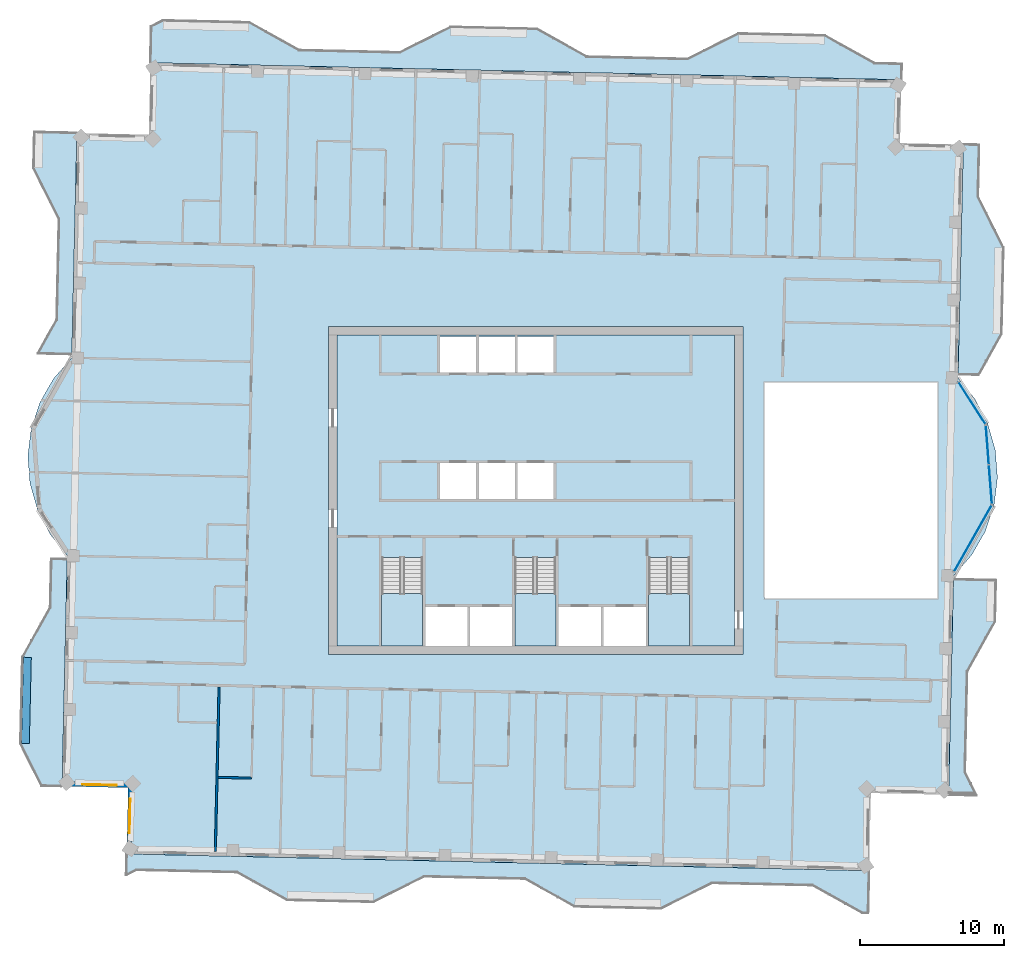
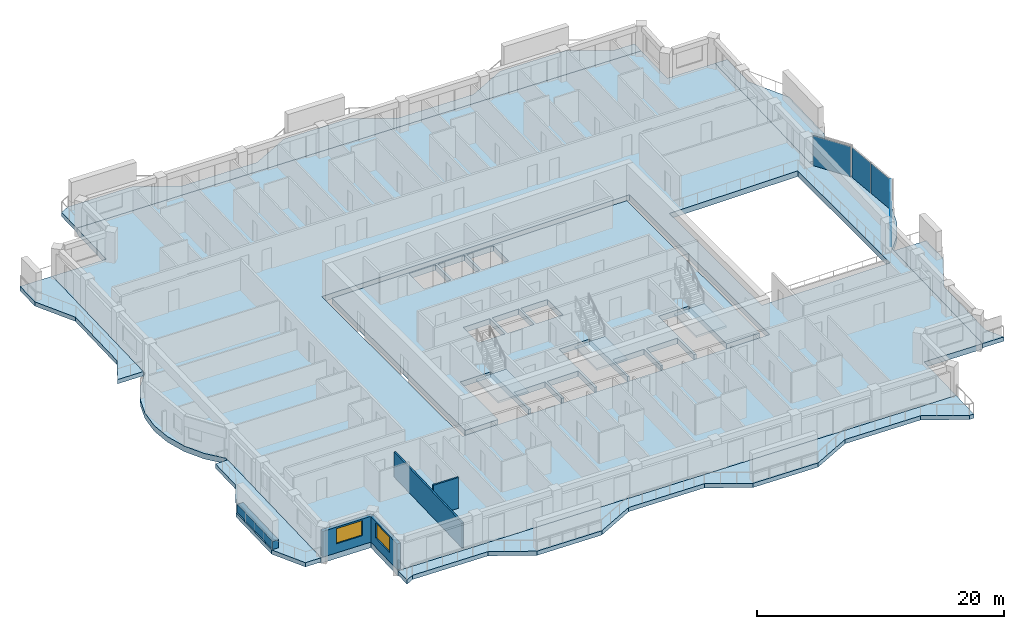
# One storey, part 3 of 15: 11 slabs, 5 walls, 4 plates, 2 windows, 2 openings, 6 elements without a shape of their own.
"""IFC4 building model written with IfcOpenShell, lengths in metres."""

from ifc_helpers import new_model, si_unit, direction, frame, frame_2d, origin, origin_2d, place, context, subcontext, project, spatial, polyline, rectangle, outline, extrude, material, layer, layer_set, type_object, element, fill, aggregate, save


model = new_model("IFC4")

# Units and contexts
model_context = context("Model", 3, precision=1e-05, world=origin(), true_north=direction((0.0, 1.0)))
body_context = subcontext(model_context, "Body", "Model", "MODEL_VIEW")
ifc_project = project(units=[si_unit("LENGTHUNIT", "METRE"), si_unit("AREAUNIT", "SQUARE_METRE"), si_unit("VOLUMEUNIT", "CUBIC_METRE"), si_unit("PLANEANGLEUNIT", "RADIAN"), si_unit("MASSUNIT", "GRAM", prefix="KILO")], contexts=[model_context])

# Site, building, storey
site_placement = place(None, origin())
site = spatial("IfcSite", under=ifc_project, at=site_placement, CompositionType="ELEMENT")
building_placement = place(site_placement, origin())
building = spatial("IfcBuilding", under=site, at=building_placement, Name="Mangrove Gate Tower", CompositionType="ELEMENT")
storey_placement = place(building_placement, frame((0.0, 0.0, 320.5)))
storey = spatial("IfcBuildingStorey", under=building, at=storey_placement, Name="L82", CompositionType="ELEMENT", Elevation=320.5)

# Curtain wall, plate
ifc_material_1 = material(Name="Aluminium and glass curtain wall", Category="aluminium")
curtain_wall_type = type_object("IfcCurtainWallType", Name="Atrium garden-court glazing wall", PredefinedType="NOTDEFINED", material=ifc_material_1)
curtain_wall_1_placement = place(storey_placement, origin())
curtain_wall_1 = element("IfcCurtainWall", 1, at=curtain_wall_1_placement, inside=storey, type_object=curtain_wall_type, Name="Atrium garden-court glazing E1f1", PredefinedType="NOTDEFINED")
ifc_material_2 = material(Name="Laminated low-e glass", Category="glass")
ifc_layer_1 = layer(ifc_material_2, 0.031982421875)
ifc_layer_set_1 = layer_set([ifc_layer_1], Name="Atrium garden-court glazing panel 32")
plate_type = type_object("IfcPlateType", Name="Atrium garden-court glazing panel 32", PredefinedType="CURTAIN_PANEL", material=ifc_layer_set_1)
plate_1_placement = place(storey_placement, frame((30.381103515625, -3.32861328125, 0.0), z_axis=(0.0, 0.0, 1.0), x_axis=(0.4925871539, 0.870263118725, 0.0)))
plate_1 = element("IfcPlate", 2, at=plate_1_placement, type_object=plate_type, Name="CWA panel 1.1", PredefinedType="CURTAIN_PANEL", context=body_context, shape_type="SweptSolid", body=[
    extrude(rectangle(XDim=5.258056640625, YDim=0.031982421875, at=origin_2d()), origin(), (0.0, 0.0, 1.0), 2.97998046875),
])
aggregate(curtain_wall_1, [plate_1])

# Curtain wall, plates
curtain_wall_2_placement = place(storey_placement, origin())
curtain_wall_2 = element("IfcCurtainWall", 3, at=curtain_wall_2_placement, inside=storey, type_object=curtain_wall_type, Name="Atrium garden-court glazing E1f2", PredefinedType="NOTDEFINED")
plate_2_placement = place(storey_placement, frame((31.601806640625, 0.427001953125, 0.0), z_axis=(0.0, 0.0, 1.0), x_axis=(-0.077023348212, 0.997029289354, 0.0)))
plate_2 = element("IfcPlate", 4, at=plate_2_placement, type_object=plate_type, Name="CWA panel 1.1", PredefinedType="CURTAIN_PANEL", context=body_context, shape_type="SweptSolid", body=[
    extrude(rectangle(XDim=2.681640625, YDim=0.031982421875, at=origin_2d()), origin(), (0.0, 0.0, 1.0), 2.97998046875),
])
plate_3_placement = place(storey_placement, frame((31.389892578125, 3.17041015625, 0.0), z_axis=(0.0, 0.0, 1.0), x_axis=(-0.077023348212, 0.997029289354, 0.0)))
plate_3 = element("IfcPlate", 5, at=plate_3_placement, type_object=plate_type, Name="CWA panel 2.1", PredefinedType="CURTAIN_PANEL", context=body_context, shape_type="SweptSolid", body=[
    extrude(rectangle(XDim=2.681640625, YDim=0.031982421875, at=origin_2d()), origin(), (0.0, 0.0, 1.0), 2.97998046875),
])
aggregate(curtain_wall_2, [plate_2, plate_3])

# Curtain wall, plate
curtain_wall_3_placement = place(storey_placement, origin())
curtain_wall_3 = element("IfcCurtainWall", 6, at=curtain_wall_3_placement, inside=storey, type_object=curtain_wall_type, Name="Atrium garden-court glazing E1f3", PredefinedType="NOTDEFINED")
plate_4_placement = place(storey_placement, frame((30.31689453125, 6.078369140625, 0.0), z_axis=(0.0, 0.0, 1.0), x_axis=(-0.540512472211, 0.841336001479, 0.0)))
plate_4 = element("IfcPlate", 7, at=plate_4_placement, type_object=plate_type, Name="CWA panel 1.1", PredefinedType="CURTAIN_PANEL", context=body_context, shape_type="SweptSolid", body=[
    extrude(rectangle(XDim=3.4287109375, YDim=0.031982421875, at=origin_2d()), origin(), (0.0, 0.0, 1.0), 2.97998046875),
])
aggregate(curtain_wall_3, [plate_4])

# Slabs
ifc_material_3 = material(Name="Porcelain tile")
ifc_layer_2 = layer(ifc_material_3, 0.02001953125, Name="Tile finish")
ifc_material_4 = material(Name="Cement sand screed")
ifc_layer_3 = layer(ifc_material_4, 0.0400390625, Name="Screed laid to falls")
ifc_material_5 = material(Name="Bituminous waterproofing membrane")
ifc_layer_4 = layer(ifc_material_5, 0.00390625, Name="Waterproofing")
ifc_material_6 = material(Name="Concrete C40/50", Category="concrete")
ifc_layer_5 = layer(ifc_material_6, 0.340087890625, Name="Balcony structural slab")
ifc_material_7 = material(Name="Limestone", Category="masonry")
ifc_layer_6 = layer(ifc_material_7, 0.01611328125, Name="Soffit lining")
ifc_layer_set_2 = layer_set([ifc_layer_2, ifc_layer_3, ifc_layer_4, ifc_layer_5, ifc_layer_6], Name="Balcony slab 420 C40/50")
slab_type_1 = type_object("IfcSlabType", Name="Balcony slab 420 C40/50", PredefinedType="FLOOR", material=ifc_layer_set_2)
slab_1_placement = place(storey_placement, frame((0.0, 0.0, -0.419921875)))
element("IfcSlab", 8, at=slab_1_placement, inside=storey, type_object=slab_type_1, Name="BALCONY L82 E0", PredefinedType="FLOOR", context=body_context, shape_type="SweptSolid", body=[
    extrude(outline(polyline([(30.676025390625, -21.18798828125), (29.866943359375, -19.569091796875), (30.02490234375, -12.571044921875), (31.9541015625, -9.114013671875), (32.02001953125, -6.239990234375), (29.030029296875, -6.172119140625), (28.965087890625, -9.0458984375), (28.885986328125, -12.544921875), (28.72705078125, -19.54296875), (28.69091796875, -21.14306640625), (30.676025390625, -21.18798828125)])), origin(), (0.0, 0.0, 1.0), 0.419921875),
])
slab_2_placement = place(storey_placement, frame((0.0, 0.0, -0.419921875)))
element("IfcSlab", 9, at=slab_2_placement, inside=storey, type_object=slab_type_1, Name="BALCONY L82 E1", PredefinedType="FLOOR", context=body_context, shape_type="SweptSolid", body=[
    extrude(outline(polyline([(30.823974609375, 8.041015625), (32.407958984375, 10.881103515625), (32.5439453125, 16.87890625), (30.77392578125, 20.419921875), (30.85595703125, 24.01904296875), (29.716064453125, 24.044921875), (29.634033203125, 20.446044921875), (29.554931640625, 16.947021484375), (29.4189453125, 10.948974609375), (29.35400390625, 8.074951171875), (30.823974609375, 8.041015625)])), origin(), (0.0, 0.0, 1.0), 0.419921875),
])
slab_3_placement = place(storey_placement, frame((0.0, 0.0, -0.419921875)))
element("IfcSlab", 10, at=slab_3_placement, inside=storey, type_object=slab_type_1, Name="BALCONY L82 N0", PredefinedType="FLOOR", context=body_context, shape_type="SweptSolid", body=[
    extrude(outline(polyline([(25.443115234375, 29.68408203125), (23.54296875, 29.72705078125), (20.0859375, 31.656005859375), (14.087890625, 31.7919921875), (10.547119140625, 30.02197265625), (3.549072265625, 30.180908203125), (0.091064453125, 32.10888671875), (-5.906982421875, 32.24609375), (-9.447998046875, 30.47607421875), (-16.446044921875, 30.634033203125), (-19.903076171875, 32.56298828125), (-25.902099609375, 32.698974609375), (-26.7109375, 32.294921875), (-26.76904296875, 29.72802734375), (25.4169921875, 28.5439453125), (25.443115234375, 29.68408203125)])), origin(), (0.0, 0.0, 1.0), 0.419921875),
])
slab_4_placement = place(storey_placement, frame((0.0, 0.0, -0.419921875)))
element("IfcSlab", 11, at=slab_4_placement, inside=storey, type_object=slab_type_1, Name="BALCONY L82 W0", PredefinedType="FLOOR", context=body_context, shape_type="SweptSolid", body=[
    extrude(outline(polyline([(-34.87109375, 24.910888671875), (-34.927978515625, 22.410888671875), (-33.156982421875, 18.8701171875), (-33.31591796875, 11.8720703125), (-34.625, 9.527099609375), (-32.22998046875, 9.471923828125), (-32.177001953125, 11.845947265625), (-32.01806640625, 18.844970703125), (-31.93798828125, 22.343994140625), (-31.882080078125, 24.843017578125), (-34.87109375, 24.910888671875)])), origin(), (0.0, 0.0, 1.0), 0.419921875),
])
slab_5_placement = place(storey_placement, frame((0.0, 0.0, -0.419921875)))
element("IfcSlab", 12, at=slab_5_placement, inside=storey, type_object=slab_type_1, Name="BALCONY L82 W1", PredefinedType="FLOOR", context=body_context, shape_type="SweptSolid", body=[
    extrude(outline(polyline([(-33.693115234375, -4.7490234375), (-33.77001953125, -8.123046875), (-35.698974609375, -11.580078125), (-35.8349609375, -17.577880859375), (-34.367919921875, -20.511962890625), (-32.912109375, -20.544921875), (-32.845947265625, -17.64599609375), (-32.7099609375, -11.64794921875), (-32.6298828125, -8.14892578125), (-32.553955078125, -4.77490234375), (-33.693115234375, -4.7490234375)])), origin(), (0.0, 0.0, 1.0), 0.419921875),
])
slab_6_placement = place(storey_placement, frame((0.0, 0.0, -0.419921875)))
element("IfcSlab", 13, at=slab_6_placement, inside=storey, type_object=slab_type_1, Name="BALCONY L82 S0", PredefinedType="FLOOR", context=body_context, shape_type="SweptSolid", body=[
    extrude(outline(polyline([(-28.4169921875, -25.2490234375), (-28.450927734375, -26.758056640625), (-27.742919921875, -26.404052734375), (-20.7451171875, -26.56298828125), (-17.2880859375, -28.491943359375), (-11.2890625, -28.6279296875), (-7.748046875, -26.85791015625), (-0.75, -27.01708984375), (2.70703125, -28.946044921875), (8.705078125, -29.08203125), (12.2470703125, -27.31298828125), (19.2451171875, -27.469970703125), (22.701904296875, -29.39892578125), (23.10205078125, -29.407958984375), (23.169921875, -26.4189453125), (-17.219970703125, -25.5029296875), (-27.717041015625, -25.263916015625), (-28.4169921875, -25.2490234375)])), origin(), (0.0, 0.0, 1.0), 0.419921875),
])
ifc_material_8 = material(Name="Concrete C40/50", Category="concrete")
ifc_layer_7 = layer(ifc_material_8, 0.550048828125)
ifc_layer_set_3 = layer_set([ifc_layer_7], Name="Core floor slab 550 C40/50")
slab_type_2 = type_object("IfcSlabType", Name="Core floor slab 550 C40/50", PredefinedType="FLOOR", material=ifc_layer_set_3)
slab_7_placement = place(storey_placement, frame((0.0, 0.0, -0.550048828125)))
element("IfcSlab", 14, at=slab_7_placement, inside=storey, type_object=slab_type_2, Name="SLAB-L82-CORE-1", PredefinedType="FLOOR", context=body_context, shape_type="SweptSolid", body=[
    extrude(outline(polyline([(-13.800048828125, -10.800048828125), (-13.800048828125, 10.800048828125), (13.800048828125, 10.800048828125), (13.800048828125, -10.800048828125), (10.699951171875, -10.800048828125), (10.699951171875, -4.653076171875), (7.85009765625, -4.653076171875), (7.85009765625, -10.800048828125), (7.64990234375, -10.800048828125), (7.64990234375, -8.10009765625), (4.72509765625, -8.10009765625), (4.72509765625, -10.800048828125), (4.52490234375, -10.800048828125), (4.52490234375, -8.10009765625), (1.60009765625, -8.10009765625), (1.60009765625, -10.800048828125), (1.39990234375, -10.800048828125), (1.39990234375, -4.653076171875), (-1.449951171875, -4.653076171875), (-1.449951171875, -10.800048828125), (-1.64990234375, -10.800048828125), (-1.64990234375, -8.10009765625), (-4.550048828125, -8.10009765625), (-4.550048828125, -10.800048828125), (-4.75, -10.800048828125), (-4.75, -8.10009765625), (-7.64990234375, -8.10009765625), (-7.64990234375, -10.800048828125), (-7.85009765625, -10.800048828125), (-7.85009765625, -4.653076171875), (-10.699951171875, -4.653076171875), (-10.699951171875, -10.800048828125), (-13.800048828125, -10.800048828125)]), holes=[polyline([(-4.14990234375, 1.89990234375), (-6.64990234375, 1.89990234375), (-6.64990234375, -0.60009765625), (-4.14990234375, -0.60009765625), (-4.14990234375, 1.89990234375)]), polyline([(-1.449951171875, -0.60009765625), (-1.449951171875, 1.89990234375), (-3.949951171875, 1.89990234375), (-3.949951171875, -0.60009765625), (-1.449951171875, -0.60009765625)]), polyline([(-4.14990234375, 8.199951171875), (-4.14990234375, 10.699951171875), (-6.64990234375, 10.699951171875), (-6.64990234375, 8.199951171875), (-4.14990234375, 8.199951171875)]), polyline([(-1.449951171875, 10.699951171875), (-3.949951171875, 10.699951171875), (-3.949951171875, 8.199951171875), (-1.449951171875, 8.199951171875), (-1.449951171875, 10.699951171875)]), polyline([(1.25, -0.60009765625), (1.25, 1.89990234375), (-1.25, 1.89990234375), (-1.25, -0.60009765625), (1.25, -0.60009765625)]), polyline([(1.25, 8.199951171875), (1.25, 10.699951171875), (-1.25, 10.699951171875), (-1.25, 8.199951171875), (1.25, 8.199951171875)])]), origin(), (0.0, 0.0, 1.0), 0.550048828125),
])

# Stair, slab
ifc_material_9 = material(Name="Concrete C40/50", Category="concrete")
stair_type = type_object("IfcStairType", Name="Core stair 1350", PredefinedType="HALF_TURN_STAIR", material=ifc_material_9)
stair_1_placement = place(storey_placement, origin())
stair_1 = element("IfcStair", 15, at=stair_1_placement, inside=storey, type_object=stair_type, Name="L82 Stair 1", PredefinedType="HALF_TURN_STAIR")
ifc_material_10 = material(Name="Concrete C40/50", Category="concrete")
ifc_layer_8 = layer(ifc_material_10, 0.199951171875)
ifc_layer_set_4 = layer_set([ifc_layer_8], Name="Core stair landing 200")
slab_type_3 = type_object("IfcSlabType", Name="Core stair landing 200", PredefinedType="LANDING", material=ifc_layer_set_4)
slab_8_placement = place(storey_placement, frame((0.0, 0.0, 1.60009765625)))
slab_8 = element("IfcSlab", 16, at=slab_8_placement, type_object=slab_type_3, Name="ST1 landing 1", PredefinedType="LANDING", context=body_context, shape_type="SweptSolid", body=[
    extrude(outline(polyline([(-10.699951171875, -7.169921875), (-10.699951171875, -10.800048828125), (-7.85009765625, -10.800048828125), (-7.85009765625, -7.169921875), (-10.699951171875, -7.169921875)])), origin(), (0.0, 0.0, 1.0), 0.199951171875),
])
aggregate(stair_1, [slab_8])

stair_2_placement = place(storey_placement, origin())
stair_2 = element("IfcStair", 17, at=stair_2_placement, inside=storey, type_object=stair_type, Name="L82 Stair 2", PredefinedType="HALF_TURN_STAIR")
slab_9_placement = place(storey_placement, frame((0.0, 0.0, 1.60009765625)))
slab_9 = element("IfcSlab", 18, at=slab_9_placement, type_object=slab_type_3, Name="ST2 landing 1", PredefinedType="LANDING", context=body_context, shape_type="SweptSolid", body=[
    extrude(outline(polyline([(-1.449951171875, -7.169921875), (-1.449951171875, -10.800048828125), (1.39990234375, -10.800048828125), (1.39990234375, -7.169921875), (-1.449951171875, -7.169921875)])), origin(), (0.0, 0.0, 1.0), 0.199951171875),
])
aggregate(stair_2, [slab_9])

stair_3_placement = place(storey_placement, origin())
stair_3 = element("IfcStair", 19, at=stair_3_placement, inside=storey, type_object=stair_type, Name="L82 Stair 3", PredefinedType="HALF_TURN_STAIR")
slab_10_placement = place(storey_placement, frame((0.0, 0.0, 1.60009765625)))
slab_10 = element("IfcSlab", 20, at=slab_10_placement, type_object=slab_type_3, Name="ST3 landing 1", PredefinedType="LANDING", context=body_context, shape_type="SweptSolid", body=[
    extrude(outline(polyline([(7.85009765625, -7.169921875), (7.85009765625, -10.800048828125), (10.699951171875, -10.800048828125), (10.699951171875, -7.169921875), (7.85009765625, -7.169921875)])), origin(), (0.0, 0.0, 1.0), 0.199951171875),
])
aggregate(stair_3, [slab_10])

# Slab
ifc_material_11 = material(Name="Concrete C40/50", Category="concrete")
ifc_layer_9 = layer(ifc_material_11, 0.550048828125)
ifc_layer_set_5 = layer_set([ifc_layer_9], Name="Floor slab 550 C40/50")
slab_type_4 = type_object("IfcSlabType", Name="Floor slab 550 C40/50", PredefinedType="FLOOR", material=ifc_layer_set_5)
slab_11_placement = place(storey_placement, frame((0.0, 0.0, -0.550048828125)))
element("IfcSlab", 21, at=slab_11_placement, inside=storey, type_object=slab_type_4, Name="Floor slab L82", PredefinedType="FLOOR", context=body_context, shape_type="SweptSolid", body=[
    extrude(outline(polyline([(-28.417236328125, -25.24853515625), (23.169677734375, -26.419189453125), (23.2919921875, -21.0205078125), (28.690673828125, -21.14306640625), (29.0361328125, -5.92236328125), (30.299072265625, -4.48583984375), (31.252197265625, -2.827392578125), (31.857666015625, -1.012939453125), (32.09130859375, 0.885498046875), (31.944091796875, 2.79248046875), (31.42138671875, 4.632568359375), (30.544677734375, 6.33251953125), (29.34814453125, 7.82470703125), (29.716064453125, 24.045166015625), (25.3173828125, 24.14501953125), (25.4169921875, 28.5439453125), (-26.76953125, 29.728271484375), (-26.8828125, 24.7294921875), (-31.881591796875, 24.843017578125), (-32.236083984375, 9.222412109375), (-33.4990234375, 7.785888671875), (-34.4521484375, 6.12744140625), (-35.0576171875, 4.31298828125), (-35.291259765625, 2.41455078125), (-35.14404296875, 0.507568359375), (-34.62158203125, -1.33251953125), (-33.74462890625, -3.032470703125), (-32.548095703125, -4.524658203125), (-32.91162109375, -20.54541015625), (-28.312744140625, -20.649658203125), (-28.417236328125, -25.24853515625)]), holes=[polyline([(15.89990234375, 7.5), (27.922119140625, 7.5), (27.922119140625, -7.5), (15.89990234375, -7.5), (15.89990234375, 7.5)]), polyline([(-14.39990234375, -11.39990234375), (-14.39990234375, 11.39990234375), (14.39990234375, 11.39990234375), (14.39990234375, -11.39990234375), (-14.39990234375, -11.39990234375)])]), origin(), (0.0, 0.0, 1.0), 0.550048828125),
])

# Wall, opening, window
ifc_layer_10 = layer(ifc_material_7, 0.0400390625, Name="Limestone cladding")
ifc_material_12 = material(Name="Ventilated air gap")
ifc_layer_11 = layer(ifc_material_12, 0.0400390625, Name="Ventilated cavity")
ifc_material_13 = material(Name="Mineral wool insulation")
ifc_layer_12 = layer(ifc_material_13, 0.06005859375, Name="Insulation")
ifc_material_14 = material(Name="Breather membrane")
ifc_layer_13 = layer(ifc_material_14, 0.001953125, Name="Breather membrane")
ifc_material_15 = material(Name="Concrete C20/25 blockwork", Category="masonry")
ifc_layer_14 = layer(ifc_material_15, 0.14990234375, Name="Blockwork backing wall")
ifc_material_16 = material(Name="Gypsum plaster")
ifc_layer_15 = layer(ifc_material_16, 0.008056640625, Name="Internal plaster")
ifc_layer_set_6 = layer_set([ifc_layer_10, ifc_layer_11, ifc_layer_12, ifc_layer_13, ifc_layer_14, ifc_layer_15], Name="External wall 300 limestone cladding")
wall_type_1 = type_object("IfcWallType", Name="External wall 300 limestone cladding", PredefinedType="SOLIDWALL", material=ifc_layer_set_6)
wall_1_placement = place(storey_placement, frame((-32.758056640625, -20.39892578125, 0.0), z_axis=(0.0, 0.0, 1.0), x_axis=(0.999744404568, -0.02260808559, 0.0)))
wall_1 = element("IfcWall", 22, at=wall_1_placement, inside=storey, type_object=wall_type_1, Name="WALL-L82-S11", PredefinedType="SOLIDWALL", context=body_context, shape_type="SweptSolid", body=[
    extrude(rectangle(XDim=4.600341796875, YDim=0.300048828125, at=frame_2d((2.30029296875, 0.0))), origin(), (0.0, 0.0, 1.0), 2.550048828125),
])
opening_1_placement = place(wall_1_placement, frame((1.260009765625, 0.0, 0.89990234375)))
opening_1 = element("IfcOpeningElement", 23, at=opening_1_placement, cuts=wall_1, Name="Opening W2", PredefinedType="OPENING", context=body_context, shape_type="SweptSolid", body=[
    extrude(rectangle(XDim=2.39990234375, YDim=1.5, at=frame_2d((1.199951171875, 0.75))), frame((0.0, 0.159912109375, 0.0), z_axis=(0.0, -1.0, 0.0), x_axis=(1.0, 0.0, 0.0)), (0.0, 0.0, 1.0), 0.320068359375),
])
ifc_material_17 = material(Name="Aluminium frame with double-glazed low-e glass", Category="aluminium")
window_type = type_object("IfcWindowType", Name="Corner room window 2400x1500", PartitioningType="DOUBLE_PANEL_VERTICAL", PredefinedType="WINDOW", material=ifc_material_17)
window_1_placement = place(opening_1_placement, origin())
window_1 = element("IfcWindow", 24, at=window_1_placement, inside=storey, type_object=window_type, Name="WIN-L82-S11-1", OverallHeight=1.5, OverallWidth=2.39990234375, PartitioningType="DOUBLE_PANEL_VERTICAL", PredefinedType="WINDOW", context=body_context, shape_type="SweptSolid", body=[
    extrude(rectangle(XDim=2.39990234375, YDim=1.5, at=frame_2d((1.199951171875, 0.75))), frame((0.0, 0.030029296875, 0.0), z_axis=(0.0, -1.0, 0.0), x_axis=(1.0, 0.0, 0.0)), (0.0, 0.0, 1.0), 0.06005859375),
])
fill(opening_1, window_1)

wall_2_placement = place(storey_placement, frame((-28.158935546875, -20.5029296875, 0.0), z_axis=(0.0, 0.0, 1.0), x_axis=(-0.022820258049, -0.999739584003, 0.0)))
wall_2 = element("IfcWall", 25, at=wall_2_placement, inside=storey, type_object=wall_type_1, Name="WALL-L82-W12", PredefinedType="SOLIDWALL", context=body_context, shape_type="SweptSolid", body=[
    extrude(rectangle(XDim=4.600341796875, YDim=0.300048828125, at=frame_2d((2.30029296875, 0.0))), origin(), (0.0, 0.0, 1.0), 2.550048828125),
])
opening_2_placement = place(wall_2_placement, frame((0.927978515625, 0.0, 0.89990234375)))
opening_2 = element("IfcOpeningElement", 26, at=opening_2_placement, cuts=wall_2, Name="Opening W2", PredefinedType="OPENING", context=body_context, shape_type="SweptSolid", body=[
    extrude(rectangle(XDim=2.39990234375, YDim=1.5, at=frame_2d((1.199951171875, 0.75))), frame((0.0, 0.159912109375, 0.0), z_axis=(0.0, -1.0, 0.0), x_axis=(1.0, 0.0, 0.0)), (0.0, 0.0, 1.0), 0.320068359375),
])
window_2_placement = place(opening_2_placement, origin())
window_2 = element("IfcWindow", 27, at=window_2_placement, inside=storey, type_object=window_type, Name="WIN-L82-W12-1", OverallHeight=1.5, OverallWidth=2.39990234375, PartitioningType="DOUBLE_PANEL_VERTICAL", PredefinedType="WINDOW", context=body_context, shape_type="SweptSolid", body=[
    extrude(rectangle(XDim=2.39990234375, YDim=1.5, at=frame_2d((1.199951171875, 0.75))), frame((0.0, 0.030029296875, 0.0), z_axis=(0.0, -1.0, 0.0), x_axis=(1.0, 0.0, 0.0)), (0.0, 0.0, 1.0), 0.06005859375),
])
fill(opening_2, window_2)

# Walls
ifc_material_18 = material(Name="Gypsum board on steel stud, EI 60", Category="steel")
ifc_layer_16 = layer(ifc_material_18, 0.14990234375)
ifc_layer_set_7 = layer_set([ifc_layer_16], Name="Party wall 150 EI 60")
wall_type_2 = type_object("IfcWallType", Name="Party wall 150 EI 60", PredefinedType="PARTITIONING", material=ifc_layer_set_7)
wall_3_placement = place(storey_placement, frame((-22.261962890625, -25.087890625, 0.0), z_axis=(0.0, 0.0, 1.0), x_axis=(0.022708812003, 0.999742121678, 0.0)))
element("IfcWall", 28, at=wall_3_placement, inside=storey, type_object=wall_type_2, Name="WALL-L82-001", PredefinedType="PARTITIONING", context=body_context, shape_type="SweptSolid", body=[
    extrude(rectangle(XDim=11.44970703125, YDim=0.14990234375, at=frame_2d((5.724853515625, 0.0))), origin(), (0.0, 0.0, 1.0), 2.5),
])
wall_4_placement = place(storey_placement, frame((-22.070068359375, -19.930908203125, 0.0), z_axis=(0.0, 0.0, 1.0), x_axis=(0.999740478815, -0.022781023197, 0.0)))
element("IfcWall", 29, at=wall_4_placement, inside=storey, type_object=wall_type_2, Name="WALL-L82-013", PredefinedType="PARTITIONING", context=body_context, shape_type="SweptSolid", body=[
    extrude(rectangle(XDim=2.325439453125, YDim=0.14990234375, at=frame_2d((1.16259765625, 0.0))), origin(), (0.0, 0.0, 1.0), 3.050048828125),
])
ifc_material_19 = material(Name="Concrete C32/40", Category="concrete")
ifc_layer_17 = layer(ifc_material_19, 0.199951171875, Name="Planter trough wall")
ifc_layer_18 = layer(ifc_material_5, 0.0048828125, Name="Waterproofing")
ifc_material_20 = material(Name="Drainage board and gravel")
ifc_layer_19 = layer(ifc_material_20, 0.044921875, Name="Drainage layer")
ifc_material_21 = material(Name="Planting soil")
ifc_layer_20 = layer(ifc_material_21, 0.300048828125, Name="Growing medium")
ifc_layer_set_8 = layer_set([ifc_layer_17, ifc_layer_18, ifc_layer_19, ifc_layer_20], Name="Planter wall 550 C32/40")
wall_type_3 = type_object("IfcWallType", Name="Planter wall 550 C32/40", PredefinedType="USERDEFINED", material=ifc_layer_set_8)
wall_5_placement = place(storey_placement, frame((-35.4599609375, -17.5859375, 0.0), z_axis=(0.0, 0.0, 1.0), x_axis=(0.022665943652, 0.999743094499, 0.0)))
element("IfcWall", 30, at=wall_5_placement, inside=storey, type_object=wall_type_3, Name="PLANTER L82 W1.1", ObjectType="PLANTER", PredefinedType="USERDEFINED", context=body_context, shape_type="SweptSolid", body=[
    extrude(rectangle(XDim=5.99951171875, YDim=0.550048828125, at=frame_2d((2.999755859375, 0.0))), origin(), (0.0, 0.0, 1.0), 0.800048828125),
])

save(model, "model.ifc")
